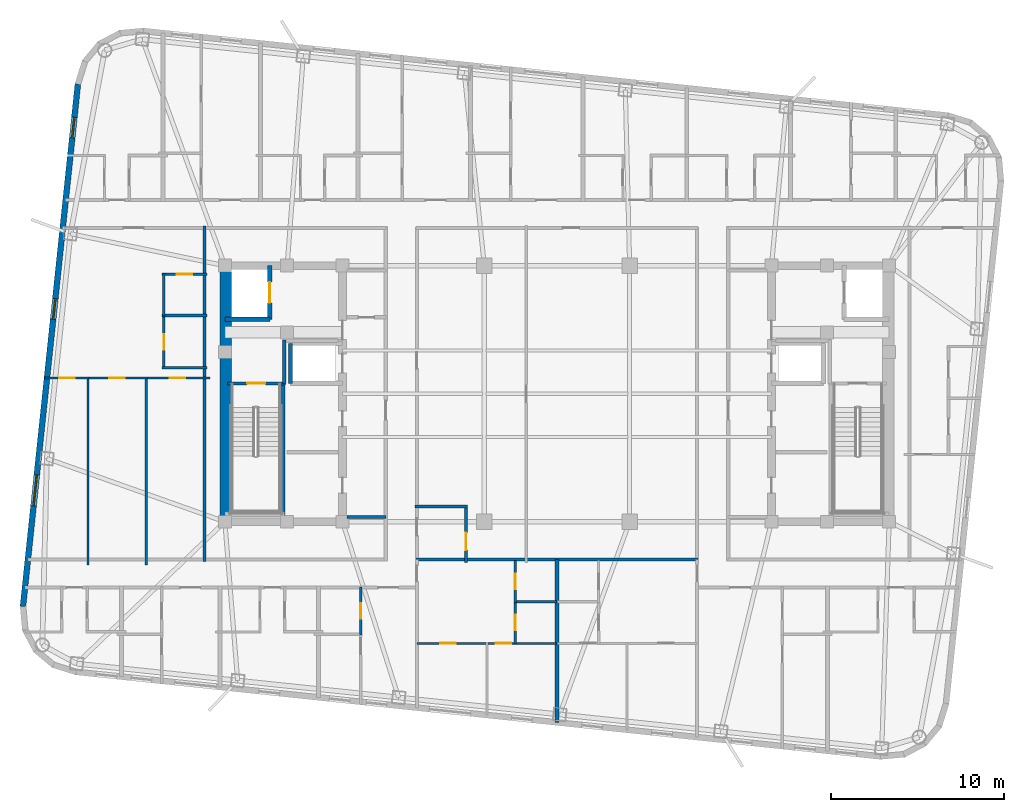
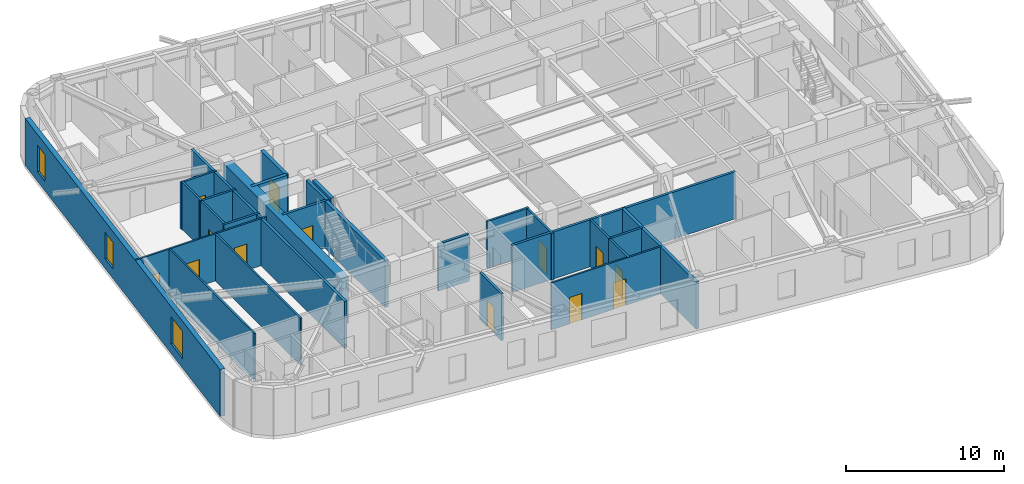
# One storey, part 4 of 11: 29 walls, 13 doors, 3 windows, 16 openings.
"""IFC4 building model written with IfcOpenShell, lengths in metres."""

from ifc_helpers import new_model, si_unit, direction, frame, frame_2d, origin, place, context, subcontext, project, spatial, rectangle, extrude, material, layer, layer_set, type_object, element, fill, save


model = new_model("IFC4")

# Units and contexts
model_context = context("Model", 3, precision=1e-05, world=origin(), true_north=direction((0.0, 1.0)))
body_context = subcontext(model_context, "Body", "Model", "MODEL_VIEW")
ifc_project = project(units=[si_unit("LENGTHUNIT", "METRE"), si_unit("AREAUNIT", "SQUARE_METRE"), si_unit("VOLUMEUNIT", "CUBIC_METRE"), si_unit("PLANEANGLEUNIT", "RADIAN"), si_unit("MASSUNIT", "GRAM", prefix="KILO")], contexts=[model_context])

# Site, building, storey
site_placement = place(None, origin())
site = spatial("IfcSite", under=ifc_project, at=site_placement, CompositionType="ELEMENT")
building_placement = place(site_placement, origin())
building = spatial("IfcBuilding", under=site, at=building_placement, Name="Voryun Gate Residences", CompositionType="ELEMENT")
storey_placement = place(building_placement, frame((0.0, 0.0, 287.300048828125)))
storey = spatial("IfcBuildingStorey", under=building, at=storey_placement, Name="L71", CompositionType="ELEMENT", Elevation=287.300048828125)

# Wall
ifc_material_1 = material(Name="Concrete C60/75", Category="concrete")
ifc_layer_1 = layer(ifc_material_1, 0.64990234375, Name="CW_CORE_650")
ifc_layer_set_1 = layer_set([ifc_layer_1], Name="Concrete C60/75")
wall_type_1 = type_object("IfcWallType", Name="CW_CORE_650", PredefinedType="SHEAR", material=ifc_layer_set_1)
wall_1_placement = place(storey_placement, frame((-19.14501953125, -7.39990234375, 0.0), z_axis=(0.0, 0.0, 1.0), x_axis=(0.0, 1.0, 0.0)))
element("IfcWall", 1, at=wall_1_placement, inside=storey, type_object=wall_type_1, Name="L71 Core shear wall CW-L71-WW", PredefinedType="SHEAR", context=body_context, shape_type="SweptSolid", body=[
    extrude(rectangle(XDim=14.7998046875, YDim=0.64990234375, at=frame_2d((7.39990234375, 0.0))), origin(), (0.0, 0.0, 1.0), 3.635009765625),
])

# Wall, opening, door
ifc_material_2 = material(Name="Gypsum acoustic fireboard")
ifc_layer_2 = layer(ifc_material_2, 0.179931640625, Name="W_CORR_RATED_180")
ifc_layer_set_2 = layer_set([ifc_layer_2], Name="Gypsum acoustic fireboard")
wall_type_2 = type_object("IfcWallType", Name="W_CORR_RATED_180", PredefinedType="PARTITIONING", material=ifc_layer_set_2)
wall_2_placement = place(storey_placement, frame((-19.06005859375, 0.60009765625, 0.0), z_axis=(0.0, 0.0, 1.0), x_axis=(1.0, 0.0, 0.0)))
wall_2 = element("IfcWall", 2, at=wall_2_placement, inside=storey, type_object=wall_type_2, Name="Partition wall WP-L71-STV-W", PredefinedType="PARTITIONING", context=body_context, shape_type="SweptSolid", body=[
    extrude(rectangle(XDim=3.360107421875, YDim=0.179931640625, at=frame_2d((1.68017578125, 0.0))), origin(), (0.0, 0.0, 1.0), 3.635009765625),
])
opening_1_placement = place(wall_2_placement, frame((1.155029296875, 0.0, 0.0)))
opening_1 = element("IfcOpeningElement", 3, at=opening_1_placement, cuts=wall_2, Name="Opening D-FD60-1", PredefinedType="OPENING", context=body_context, shape_type="SweptSolid", body=[
    extrude(rectangle(XDim=1.050048828125, YDim=2.050048828125, at=frame_2d((0.52490234375, 1.02490234375))), frame((0.0, 0.099853515625, 0.0), z_axis=(0.0, -1.0, 0.0), x_axis=(1.0, 0.0, 0.0)), (0.0, 0.0, 1.0), 0.199951171875),
])
ifc_material_3 = material(Name="Painted steel fire door", Category="steel")
door_type_1 = type_object("IfcDoorType", Name="DR_FD60_STAIR_1050", OperationType="NOTDEFINED", PredefinedType="DOOR", material=ifc_material_3)
door_1_placement = place(opening_1_placement, origin())
door_1 = element("IfcDoor", 4, at=door_1_placement, inside=storey, type_object=door_type_1, Name="Door DR-L71-ST-W", OperationType="SINGLE_SWING_LEFT", OverallHeight=2.050048828125, OverallWidth=1.050048828125, PredefinedType="DOOR", context=body_context, shape_type="SweptSolid", body=[
    extrude(rectangle(XDim=1.050048828125, YDim=2.050048828125, at=frame_2d((0.52490234375, 1.02490234375))), frame((0.0, 0.02490234375, 0.0), z_axis=(0.0, -1.0, 0.0), x_axis=(1.0, 0.0, 0.0)), (0.0, 0.0, 1.0), 0.050048828125),
])
fill(opening_1, door_1)

# Walls
wall_3_placement = place(storey_placement, frame((-12.14990234375, -7.1201171875, 0.0), z_axis=(0.0, 0.0, 1.0), x_axis=(1.0, 0.0, 0.0)))
element("IfcWall", 5, at=wall_3_placement, inside=storey, type_object=wall_type_2, Name="Partition wall WP-L71-PLBS-W", PredefinedType="PARTITIONING", context=body_context, shape_type="SweptSolid", body=[
    extrude(rectangle(XDim=2.27001953125, YDim=0.179931640625, at=frame_2d((1.135009765625, 0.0))), origin(), (0.0, 0.0, 1.0), 3.635009765625),
])
wall_4_placement = place(storey_placement, frame((-8.14990234375, -9.590087890625, 0.0), z_axis=(0.0, 0.0, 1.0), x_axis=(1.0, 0.0, 0.0)))
element("IfcWall", 6, at=wall_4_placement, inside=storey, type_object=wall_type_2, Name="Partition wall WP-L71-Z3S", PredefinedType="PARTITIONING", context=body_context, shape_type="SweptSolid", body=[
    extrude(rectangle(XDim=16.2998046875, YDim=0.179931640625, at=frame_2d((8.14990234375, 0.0))), origin(), (0.0, 0.0, 1.0), 3.635009765625),
])
wall_5_placement = place(storey_placement, frame((-20.3701171875, -9.7099609375, 0.0), z_axis=(0.0, 0.0, 1.0), x_axis=(0.0, 1.0, 0.0)))
element("IfcWall", 7, at=wall_5_placement, inside=storey, type_object=wall_type_2, Name="Partition wall WP-L71-WCOR", PredefinedType="PARTITIONING", context=body_context, shape_type="SweptSolid", body=[
    extrude(rectangle(XDim=19.419921875, YDim=0.179931640625, at=frame_2d((9.7099609375, 0.0))), origin(), (0.0, 0.0, 1.0), 3.635009765625),
])

# Wall, openings, windows
ifc_material_4 = material(Name="Charcoal terracotta masonry", Category="masonry")
ifc_layer_3 = layer(ifc_material_4, 0.340087890625, Name="W_EXT_TERRACOTTA_340")
ifc_layer_set_3 = layer_set([ifc_layer_3], Name="Charcoal terracotta masonry")
wall_type_3 = type_object("IfcWallType", Name="W_EXT_TERRACOTTA_340", PredefinedType="ELEMENTEDWALL", material=ifc_layer_set_3)
wall_6_placement = place(storey_placement, frame((-30.8701171875, -12.295654296875, 0.0), z_axis=(0.0, 0.0, 1.0), x_axis=(0.104533282919, 0.994521388791, 0.0)))
wall_6 = element("IfcWall", 8, at=wall_6_placement, inside=storey, type_object=wall_type_3, Name="Exterior wall WEXT-L71-06", PredefinedType="ELEMENTEDWALL", context=body_context, shape_type="SweptSolid", body=[
    extrude(rectangle(XDim=30.366455078125, YDim=0.340087890625, at=frame_2d((15.18310546875, 0.0))), origin(), (0.0, 0.0, 1.0), 3.635009765625),
])
opening_2_placement = place(wall_6_placement, frame((5.841552734375, 0.0, 0.75)))
opening_2 = element("IfcOpeningElement", 9, at=opening_2_placement, cuts=wall_6, Name="Opening WN1", PredefinedType="OPENING", context=body_context, shape_type="SweptSolid", body=[
    extrude(rectangle(XDim=1.800048828125, YDim=2.10009765625, at=frame_2d((0.89990234375, 1.050048828125))), frame((0.0, 0.179931640625, 0.0), z_axis=(0.0, -1.0, 0.0), x_axis=(1.0, 0.0, 0.0)), (0.0, 0.0, 1.0), 0.360107421875),
])
opening_3_placement = place(wall_6_placement, frame((27.23779296875, 0.0, 0.75)))
opening_3 = element("IfcOpeningElement", 10, at=opening_3_placement, cuts=wall_6, Name="Opening WN6", PredefinedType="OPENING", context=body_context, shape_type="SweptSolid", body=[
    extrude(rectangle(XDim=1.199951171875, YDim=2.050048828125, at=frame_2d((0.60009765625, 1.02490234375))), frame((0.0, 0.179931640625, 0.0), z_axis=(0.0, -1.0, 0.0), x_axis=(1.0, 0.0, 0.0)), (0.0, 0.0, 1.0), 0.360107421875),
])
opening_4_placement = place(wall_6_placement, frame((16.6875, 0.0, 0.75)))
opening_4 = element("IfcOpeningElement", 11, at=opening_4_placement, cuts=wall_6, Name="Opening WN6", PredefinedType="OPENING", context=body_context, shape_type="SweptSolid", body=[
    extrude(rectangle(XDim=1.199951171875, YDim=2.050048828125, at=frame_2d((0.60009765625, 1.02490234375))), frame((0.0, 0.179931640625, 0.0), z_axis=(0.0, -1.0, 0.0), x_axis=(1.0, 0.0, 0.0)), (0.0, 0.0, 1.0), 0.360107421875),
])
ifc_material_5 = material(Name="Laminated low-E glass", Category="glass")
window_type_1 = type_object("IfcWindowType", Name="WN_POD_SLOT_1200", PartitioningType="SINGLE_PANEL", PredefinedType="WINDOW", material=ifc_material_5)
window_1_placement = place(opening_3_placement, origin())
window_1 = element("IfcWindow", 12, at=window_1_placement, inside=storey, type_object=window_type_1, Name="Window WN-L71-DWFIX-01", OverallHeight=2.050048828125, OverallWidth=1.199951171875, PartitioningType="SINGLE_PANEL", PredefinedType="WINDOW", context=body_context, shape_type="SweptSolid", body=[
    extrude(rectangle(XDim=1.199951171875, YDim=2.050048828125, at=frame_2d((0.60009765625, 1.02490234375))), frame((0.0, 0.030029296875, 0.0), z_axis=(0.0, -1.0, 0.0), x_axis=(1.0, 0.0, 0.0)), (0.0, 0.0, 1.0), 0.06005859375),
])
fill(opening_3, window_1)
window_2_placement = place(opening_4_placement, origin())
window_2 = element("IfcWindow", 13, at=window_2_placement, inside=storey, type_object=window_type_1, Name="Window WN-L71-DWFIX-24", OverallHeight=2.050048828125, OverallWidth=1.199951171875, PartitioningType="SINGLE_PANEL", PredefinedType="WINDOW", context=body_context, shape_type="SweptSolid", body=[
    extrude(rectangle(XDim=1.199951171875, YDim=2.050048828125, at=frame_2d((0.60009765625, 1.02490234375))), frame((0.0, 0.030029296875, 0.0), z_axis=(0.0, -1.0, 0.0), x_axis=(1.0, 0.0, 0.0)), (0.0, 0.0, 1.0), 0.06005859375),
])
fill(opening_4, window_2)
ifc_material_6 = material(Name="Laminated low-E glass", Category="glass")
window_type_2 = type_object("IfcWindowType", Name="WN_RES_PUNCH_1800", PartitioningType="SINGLE_PANEL", PredefinedType="WINDOW", material=ifc_material_6)
window_3_placement = place(opening_2_placement, origin())
window_3 = element("IfcWindow", 14, at=window_3_placement, inside=storey, type_object=window_type_2, Name="Window WN-WEXT-L71-06-01", OverallHeight=2.10009765625, OverallWidth=1.800048828125, PartitioningType="SINGLE_PANEL", PredefinedType="WINDOW", context=body_context, shape_type="SweptSolid", body=[
    extrude(rectangle(XDim=1.800048828125, YDim=2.10009765625, at=frame_2d((0.89990234375, 1.050048828125))), frame((0.0, 0.030029296875, 0.0), z_axis=(0.0, -1.0, 0.0), x_axis=(1.0, 0.0, 0.0)), (0.0, 0.0, 1.0), 0.06005859375),
])
fill(opening_2, window_3)

# Walls
ifc_material_7 = material(Name="Concrete C40/50", Category="concrete")
ifc_layer_4 = layer(ifc_material_7, 0.199951171875, Name="W_FF_LOBBY_200")
ifc_layer_set_4 = layer_set([ifc_layer_4], Name="Concrete C40/50")
wall_type_4 = type_object("IfcWallType", Name="W_FF_LOBBY_200", PredefinedType="PARTITIONING", material=ifc_layer_set_4)
wall_7_placement = place(storey_placement, frame((-15.760009765625, 0.580078125, 0.0), z_axis=(0.0, 0.0, 1.0), x_axis=(0.0, 1.0, 0.0)))
element("IfcWall", 15, at=wall_7_placement, inside=storey, type_object=wall_type_4, Name="Partition wall WP-L71-FFP0-W", PredefinedType="PARTITIONING", context=body_context, shape_type="SweptSolid", body=[
    extrude(rectangle(XDim=2.52001953125, YDim=0.199951171875, at=frame_2d((1.260009765625, 0.0))), origin(), (0.0, 0.0, 1.0), 3.635009765625),
])
ifc_material_8 = material(Name="Concrete C40/50", Category="concrete")
ifc_layer_5 = layer(ifc_material_8, 0.219970703125, Name="W_PARTY_ACOUSTIC_220")
ifc_layer_set_5 = layer_set([ifc_layer_5], Name="Concrete C40/50")
wall_type_5 = type_object("IfcWallType", Name="W_PARTY_ACOUSTIC_220", PredefinedType="PARTITIONING", material=ifc_layer_set_5)
wall_8_placement = place(storey_placement, frame((0.0, -19.005859375, 0.0), z_axis=(0.0, 0.0, 1.0), x_axis=(0.0, 1.0, 0.0)))
element("IfcWall", 16, at=wall_8_placement, inside=storey, type_object=wall_type_5, Name="Partition wall WP-L71-SZMID", PredefinedType="PARTITIONING", context=body_context, shape_type="SweptSolid", body=[
    extrude(rectangle(XDim=9.415771484375, YDim=0.219970703125, at=frame_2d((4.7080078125, 0.0))), origin(), (0.0, 0.0, 1.0), 3.635009765625),
])
ifc_material_9 = material(Name="Concrete C50/60", Category="concrete")
ifc_layer_6 = layer(ifc_material_9, 0.25, Name="W_SHAFT_RC250")
ifc_layer_set_6 = layer_set([ifc_layer_6], Name="Concrete C50/60")
wall_type_6 = type_object("IfcWallType", Name="W_SHAFT_RC250", PredefinedType="SOLIDWALL", material=ifc_layer_set_6)
wall_9_placement = place(storey_placement, frame((-15.860107421875, -7.0849609375, 0.0), z_axis=(0.0, 0.0, 1.0), x_axis=(0.0, 1.0, 0.0)))
element("IfcWall", 17, at=wall_9_placement, inside=storey, type_object=wall_type_6, Name="L71 Stair shaft structural wall W-STR", PredefinedType="SOLIDWALL", context=body_context, shape_type="SweptSolid", body=[
    extrude(rectangle(XDim=7.68505859375, YDim=0.25, at=frame_2d((3.842529296875, 0.0))), origin(), (0.0, 0.0, 1.0), 3.635009765625),
])
wall_10_placement = place(storey_placement, frame((-19.199951171875, 4.300048828125, 0.0), z_axis=(0.0, 0.0, 1.0), x_axis=(1.0, 0.0, 0.0)))
element("IfcWall", 18, at=wall_10_placement, inside=storey, type_object=wall_type_6, Name="Lift shaft wall WSH-L71-EL-FF-W1-S", PredefinedType="SOLIDWALL", context=body_context, shape_type="SweptSolid", body=[
    extrude(rectangle(XDim=2.599853515625, YDim=0.25, at=frame_2d((1.2998046875, 0.0))), origin(), (0.0, 0.0, 1.0), 3.635009765625),
])

# Wall, opening, door
wall_11_placement = place(storey_placement, frame((-16.60009765625, 4.300048828125, 0.0), z_axis=(0.0, 0.0, 1.0), x_axis=(0.0, 1.0, 0.0)))
wall_11 = element("IfcWall", 19, at=wall_11_placement, inside=storey, type_object=wall_type_6, Name="Lift shaft wall WSH-L71-EL-FF-W1-E", PredefinedType="SOLIDWALL", context=body_context, shape_type="SweptSolid", body=[
    extrude(rectangle(XDim=3.099853515625, YDim=0.25, at=frame_2d((1.5498046875, 0.0))), origin(), (0.0, 0.0, 1.0), 3.635009765625),
])
opening_5_placement = place(wall_11_placement, frame((0.949951171875, 0.0, 0.0)))
opening_5 = element("IfcOpeningElement", 20, at=opening_5_placement, cuts=wall_11, Name="Opening LD1", PredefinedType="OPENING", context=body_context, shape_type="SweptSolid", body=[
    extrude(rectangle(XDim=1.199951171875, YDim=2.050048828125, at=frame_2d((0.60009765625, 1.02490234375))), frame((0.0, 0.135009765625, 0.0), z_axis=(0.0, -1.0, 0.0), x_axis=(1.0, 0.0, 0.0)), (0.0, 0.0, 1.0), 0.27001953125),
])
ifc_material_10 = material(Name="Anodised aluminium", Category="aluminium")
door_type_2 = type_object("IfcDoorType", Name="DR_LD_FF_1200", OperationType="NOTDEFINED", PredefinedType="DOOR", material=ifc_material_10)
door_2_placement = place(opening_5_placement, origin())
door_2 = element("IfcDoor", 21, at=door_2_placement, inside=storey, type_object=door_type_2, Name="Lift EL-FF-W1 sliding landing door L71", OperationType="SLIDING_TO_LEFT", OverallHeight=2.050048828125, OverallWidth=1.199951171875, PredefinedType="DOOR", context=body_context, shape_type="SweptSolid", body=[
    extrude(rectangle(XDim=1.199951171875, YDim=2.050048828125, at=frame_2d((0.60009765625, 1.02490234375))), frame((0.0, 0.02490234375, 0.0), z_axis=(0.0, -1.0, 0.0), x_axis=(1.0, 0.0, 0.0)), (0.0, 0.0, 1.0), 0.050048828125),
])
fill(opening_5, door_2)

# Wall
wall_12_placement = place(storey_placement, frame((-15.39990234375, 2.89990234375, 0.0), z_axis=(0.0, 0.0, 1.0), x_axis=(0.0, -1.0, 0.0)))
element("IfcWall", 22, at=wall_12_placement, inside=storey, type_object=wall_type_6, Name="Lift shaft wall WSH-L71-EL-P7-W", PredefinedType="SOLIDWALL", context=body_context, shape_type="SweptSolid", body=[
    extrude(rectangle(XDim=2.2998046875, YDim=0.25, at=frame_2d((1.14990234375, 0.0))), origin(), (0.0, 0.0, 1.0), 3.635009765625),
])

# Wall, openings, doors
ifc_material_11 = material(Name="Gypsum acoustic partition")
ifc_layer_7 = layer(ifc_material_11, 0.125, Name="W_UNIT_PART_125")
ifc_layer_set_7 = layer_set([ifc_layer_7], Name="Gypsum acoustic partition")
wall_type_7 = type_object("IfcWallType", Name="W_UNIT_PART_125", PredefinedType="PARTITIONING", material=ifc_layer_set_7)
wall_13_placement = place(storey_placement, frame((-8.080078125, -14.429931640625, 0.0), z_axis=(0.0, 0.0, 1.0), x_axis=(1.0, 0.0, 0.0)))
wall_13 = element("IfcWall", 23, at=wall_13_placement, inside=storey, type_object=wall_type_7, Name="Partition wall WP-L71-SC1-HZ", PredefinedType="PARTITIONING", context=body_context, shape_type="SweptSolid", body=[
    extrude(rectangle(XDim=8.06005859375, YDim=0.125, at=frame_2d((4.030029296875, 0.0))), origin(), (0.0, 0.0, 1.0), 3.635009765625),
])
opening_6_placement = place(wall_13_placement, frame((1.3232421875, 0.0, 0.0)))
opening_6 = element("IfcOpeningElement", 24, at=opening_6_placement, cuts=wall_13, Name="Opening D-INT-2", PredefinedType="OPENING", context=body_context, shape_type="SweptSolid", body=[
    extrude(rectangle(XDim=0.89990234375, YDim=2.050048828125, at=frame_2d((0.449951171875, 1.02490234375))), frame((0.0, 0.072509765625, 0.0), z_axis=(0.0, -1.0, 0.0), x_axis=(1.0, 0.0, 0.0)), (0.0, 0.0, 1.0), 0.14501953125),
])
opening_7_placement = place(wall_13_placement, frame((4.547119140625, 0.0, 0.0)))
opening_7 = element("IfcOpeningElement", 25, at=opening_7_placement, cuts=wall_13, Name="Opening D-INT-2", PredefinedType="OPENING", context=body_context, shape_type="SweptSolid", body=[
    extrude(rectangle(XDim=0.89990234375, YDim=2.050048828125, at=frame_2d((0.449951171875, 1.02490234375))), frame((0.0, 0.072509765625, 0.0), z_axis=(0.0, -1.0, 0.0), x_axis=(1.0, 0.0, 0.0)), (0.0, 0.0, 1.0), 0.14501953125),
])
ifc_material_12 = material(Name="Architectural oak veneer")
door_type_3 = type_object("IfcDoorType", Name="DR_INT_BATH_900", OperationType="NOTDEFINED", PredefinedType="DOOR", material=ifc_material_12)
door_3_placement = place(opening_6_placement, origin())
door_3 = element("IfcDoor", 26, at=door_3_placement, inside=storey, type_object=door_type_3, Name="Door DR-L71-SC1-DMB", OperationType="SINGLE_SWING_LEFT", OverallHeight=2.050048828125, OverallWidth=0.89990234375, PredefinedType="DOOR", context=body_context, shape_type="SweptSolid", body=[
    extrude(rectangle(XDim=0.89990234375, YDim=2.050048828125, at=frame_2d((0.449951171875, 1.02490234375))), frame((0.0, 0.02490234375, 0.0), z_axis=(0.0, -1.0, 0.0), x_axis=(1.0, 0.0, 0.0)), (0.0, 0.0, 1.0), 0.050048828125),
])
fill(opening_6, door_3)
door_4_placement = place(opening_7_placement, origin())
door_4 = element("IfcDoor", 27, at=door_4_placement, inside=storey, type_object=door_type_3, Name="Door DR-L71-SC1-DBD2", OperationType="SINGLE_SWING_RIGHT", OverallHeight=2.050048828125, OverallWidth=0.89990234375, PredefinedType="DOOR", context=body_context, shape_type="SweptSolid", body=[
    extrude(rectangle(XDim=0.89990234375, YDim=2.050048828125, at=frame_2d((0.449951171875, 1.02490234375))), frame((0.0, 0.02490234375, 0.0), z_axis=(0.0, -1.0, 0.0), x_axis=(1.0, 0.0, 0.0)), (0.0, 0.0, 1.0), 0.050048828125),
])
fill(opening_7, door_4)

# Wall, opening, door
wall_14_placement = place(storey_placement, frame((-2.409912109375, -12.06005859375, 0.0), z_axis=(0.0, 0.0, 1.0), x_axis=(0.0, 1.0, 0.0)))
wall_14 = element("IfcWall", 28, at=wall_14_placement, inside=storey, type_object=wall_type_7, Name="Partition wall WP-L71-SC1-VK1", PredefinedType="PARTITIONING", context=body_context, shape_type="SweptSolid", body=[
    extrude(rectangle(XDim=2.41015625, YDim=0.125, at=frame_2d((1.205078125, 0.0))), origin(), (0.0, 0.0, 1.0), 3.635009765625),
])
opening_8_placement = place(wall_14_placement, frame((0.7548828125, 0.0, 0.0)))
opening_8 = element("IfcOpeningElement", 29, at=opening_8_placement, cuts=wall_14, Name="Opening D-INT-2", PredefinedType="OPENING", context=body_context, shape_type="SweptSolid", body=[
    extrude(rectangle(XDim=0.89990234375, YDim=2.050048828125, at=frame_2d((0.449951171875, 1.02490234375))), frame((0.0, 0.072509765625, 0.0), z_axis=(0.0, -1.0, 0.0), x_axis=(1.0, 0.0, 0.0)), (0.0, 0.0, 1.0), 0.14501953125),
])
door_5_placement = place(opening_8_placement, origin())
door_5 = element("IfcDoor", 30, at=door_5_placement, inside=storey, type_object=door_type_3, Name="Door DR-L71-SC1-DK", OperationType="SINGLE_SWING_LEFT", OverallHeight=2.050048828125, OverallWidth=0.89990234375, PredefinedType="DOOR", context=body_context, shape_type="SweptSolid", body=[
    extrude(rectangle(XDim=0.89990234375, YDim=2.050048828125, at=frame_2d((0.449951171875, 1.02490234375))), frame((0.0, 0.02490234375, 0.0), z_axis=(0.0, -1.0, 0.0), x_axis=(1.0, 0.0, 0.0)), (0.0, 0.0, 1.0), 0.050048828125),
])
fill(opening_8, door_5)

wall_15_placement = place(storey_placement, frame((-29.633056640625, 0.909912109375, 0.0), z_axis=(0.0, 0.0, 1.0), x_axis=(1.0, 0.0, 0.0)))
wall_15 = element("IfcWall", 31, at=wall_15_placement, inside=storey, type_object=wall_type_7, Name="Partition wall WP-L71-W1-HZMB1", PredefinedType="PARTITIONING", context=body_context, shape_type="SweptSolid", body=[
    extrude(rectangle(XDim=2.57861328125, YDim=0.125, at=frame_2d((1.289306640625, 0.0))), origin(), (0.0, 0.0, 1.0), 3.635009765625),
])
opening_9_placement = place(wall_15_placement, frame((0.847900390625, 0.0, 0.0)))
opening_9 = element("IfcOpeningElement", 32, at=opening_9_placement, cuts=wall_15, Name="Opening D-INT-2", PredefinedType="OPENING", context=body_context, shape_type="SweptSolid", body=[
    extrude(rectangle(XDim=0.89990234375, YDim=2.050048828125, at=frame_2d((0.449951171875, 1.02490234375))), frame((0.0, 0.072509765625, 0.0), z_axis=(0.0, -1.0, 0.0), x_axis=(1.0, 0.0, 0.0)), (0.0, 0.0, 1.0), 0.14501953125),
])
door_6_placement = place(opening_9_placement, origin())
door_6 = element("IfcDoor", 33, at=door_6_placement, inside=storey, type_object=door_type_3, Name="Door DR-L71-W1-DMB", OperationType="SINGLE_SWING_LEFT", OverallHeight=2.050048828125, OverallWidth=0.89990234375, PredefinedType="DOOR", context=body_context, shape_type="SweptSolid", body=[
    extrude(rectangle(XDim=0.89990234375, YDim=2.050048828125, at=frame_2d((0.449951171875, 1.02490234375))), frame((0.0, 0.02490234375, 0.0), z_axis=(0.0, -1.0, 0.0), x_axis=(1.0, 0.0, 0.0)), (0.0, 0.0, 1.0), 0.050048828125),
])
fill(opening_9, door_6)

wall_16_placement = place(storey_placement, frame((-27.179443359375, 0.909912109375, 0.0), z_axis=(0.0, 0.0, 1.0), x_axis=(1.0, 0.0, 0.0)))
wall_16 = element("IfcWall", 34, at=wall_16_placement, inside=storey, type_object=wall_type_7, Name="Partition wall WP-L71-W1-HZMB2", PredefinedType="PARTITIONING", context=body_context, shape_type="SweptSolid", body=[
    extrude(rectangle(XDim=3.4990234375, YDim=0.125, at=frame_2d((1.74951171875, 0.0))), origin(), (0.0, 0.0, 1.0), 3.635009765625),
])
opening_10_placement = place(wall_16_placement, frame((1.299560546875, 0.0, 0.0)))
opening_10 = element("IfcOpeningElement", 35, at=opening_10_placement, cuts=wall_16, Name="Opening D-INT-2", PredefinedType="OPENING", context=body_context, shape_type="SweptSolid", body=[
    extrude(rectangle(XDim=0.89990234375, YDim=2.050048828125, at=frame_2d((0.449951171875, 1.02490234375))), frame((0.0, 0.072509765625, 0.0), z_axis=(0.0, -1.0, 0.0), x_axis=(1.0, 0.0, 0.0)), (0.0, 0.0, 1.0), 0.14501953125),
])
door_7_placement = place(opening_10_placement, origin())
door_7 = element("IfcDoor", 36, at=door_7_placement, inside=storey, type_object=door_type_3, Name="Door DR-L71-W1-DBD2", OperationType="SINGLE_SWING_RIGHT", OverallHeight=2.050048828125, OverallWidth=0.89990234375, PredefinedType="DOOR", context=body_context, shape_type="SweptSolid", body=[
    extrude(rectangle(XDim=0.89990234375, YDim=2.050048828125, at=frame_2d((0.449951171875, 1.02490234375))), frame((0.0, 0.02490234375, 0.0), z_axis=(0.0, -1.0, 0.0), x_axis=(1.0, 0.0, 0.0)), (0.0, 0.0, 1.0), 0.050048828125),
])
fill(opening_10, door_7)

wall_17_placement = place(storey_placement, frame((-23.805419921875, 0.909912109375, 0.0), z_axis=(0.0, 0.0, 1.0), x_axis=(1.0, 0.0, 0.0)))
wall_17 = element("IfcWall", 37, at=wall_17_placement, inside=storey, type_object=wall_type_7, Name="Partition wall WP-L71-W1-HZMB3", PredefinedType="PARTITIONING", context=body_context, shape_type="SweptSolid", body=[
    extrude(rectangle(XDim=3.75537109375, YDim=0.125, at=frame_2d((1.877685546875, 0.0))), origin(), (0.0, 0.0, 1.0), 3.635009765625),
])
opening_11_placement = place(wall_17_placement, frame((1.4189453125, 0.0, 0.0)))
opening_11 = element("IfcOpeningElement", 38, at=opening_11_placement, cuts=wall_17, Name="Opening D-INT-2", PredefinedType="OPENING", context=body_context, shape_type="SweptSolid", body=[
    extrude(rectangle(XDim=0.89990234375, YDim=2.050048828125, at=frame_2d((0.449951171875, 1.02490234375))), frame((0.0, 0.072509765625, 0.0), z_axis=(0.0, -1.0, 0.0), x_axis=(1.0, 0.0, 0.0)), (0.0, 0.0, 1.0), 0.14501953125),
])
door_8_placement = place(opening_11_placement, origin())
door_8 = element("IfcDoor", 39, at=door_8_placement, inside=storey, type_object=door_type_3, Name="Door DR-L71-W1-DBD3", OperationType="SINGLE_SWING_LEFT", OverallHeight=2.050048828125, OverallWidth=0.89990234375, PredefinedType="DOOR", context=body_context, shape_type="SweptSolid", body=[
    extrude(rectangle(XDim=0.89990234375, YDim=2.050048828125, at=frame_2d((0.449951171875, 1.02490234375))), frame((0.0, 0.02490234375, 0.0), z_axis=(0.0, -1.0, 0.0), x_axis=(1.0, 0.0, 0.0)), (0.0, 0.0, 1.0), 0.050048828125),
])
fill(opening_11, door_8)

# Walls
for number, where, z_axis, x_axis, name in (
    (40, (-23.742919921875, -9.909912109375, 0.0), (0.0, 0.0, 1.0), (0.0, 1.0, 0.0), "Partition wall WP-L71-W1-VMB2"),
    (41, (-27.116943359375, -9.909912109375, 0.0), (0.0, 0.0, 1.0), (0.0, 1.0, 0.0), "Partition wall WP-L71-W1-VMB"),
):
    element("IfcWall", number, at=place(storey_placement, frame(where, z_axis=z_axis, x_axis=x_axis)), inside=storey, type_object=wall_type_7, Name=name, PredefinedType="PARTITIONING", context=body_context, shape_type="SweptSolid", body=[
        extrude(rectangle(XDim=10.8798828125, YDim=0.125, at=frame_2d((5.43994140625, 0.0))), origin(), (0.0, 0.0, 1.0), 3.635009765625),
    ])

# Wall, opening, door
ifc_material_13 = material(Name="Gypsum moisture-resistant partition")
ifc_layer_8 = layer(ifc_material_13, 0.14990234375, Name="W_WET_PLUMB_150")
ifc_layer_set_8 = layer_set([ifc_layer_8], Name="Gypsum moisture-resistant partition")
wall_type_8 = type_object("IfcWallType", Name="W_WET_PLUMB_150", PredefinedType="PLUMBINGWALL", material=ifc_layer_set_8)
wall_18_placement = place(storey_placement, frame((-5.260009765625, -9.77001953125, 0.0), z_axis=(0.0, 0.0, 1.0), x_axis=(0.0, 1.0, 0.0)))
wall_18 = element("IfcWall", 42, at=wall_18_placement, inside=storey, type_object=wall_type_8, Name="Partition wall WP-L71-CMWCX", PredefinedType="PLUMBINGWALL", context=body_context, shape_type="SweptSolid", body=[
    extrude(rectangle(XDim=3.35009765625, YDim=0.14990234375, at=frame_2d((1.675048828125, 0.0))), origin(), (0.0, 0.0, 1.0), 3.635009765625),
])
opening_12_placement = place(wall_18_placement, frame((0.735107421875, 0.0, 0.0)))
opening_12 = element("IfcOpeningElement", 43, at=opening_12_placement, cuts=wall_18, Name="Opening D-AWC-1", PredefinedType="OPENING", context=body_context, shape_type="SweptSolid", body=[
    extrude(rectangle(XDim=1.0, YDim=2.050048828125, at=frame_2d((0.5, 1.02490234375))), frame((0.0, 0.0849609375, 0.0), z_axis=(0.0, -1.0, 0.0), x_axis=(1.0, 0.0, 0.0)), (0.0, 0.0, 1.0), 0.169921875),
])
ifc_material_14 = material(Name="Architectural oak veneer")
door_type_4 = type_object("IfcDoorType", Name="DR_ACC_WC_1000", OperationType="NOTDEFINED", PredefinedType="DOOR", material=ifc_material_14)
door_9_placement = place(opening_12_placement, origin())
door_9 = element("IfcDoor", 44, at=door_9_placement, inside=storey, type_object=door_type_4, Name="Door DR-L71-CMWC", OperationType="SINGLE_SWING_LEFT", OverallHeight=2.050048828125, OverallWidth=1.0, PredefinedType="DOOR", context=body_context, shape_type="SweptSolid", body=[
    extrude(rectangle(XDim=1.0, YDim=2.050048828125, at=frame_2d((0.5, 1.02490234375))), frame((0.0, 0.02490234375, 0.0), z_axis=(0.0, -1.0, 0.0), x_axis=(1.0, 0.0, 0.0)), (0.0, 0.0, 1.0), 0.050048828125),
])
fill(opening_12, door_9)

# Wall
wall_19_placement = place(storey_placement, frame((-8.2099609375, -6.52001953125, 0.0), z_axis=(0.0, 0.0, 1.0), x_axis=(1.0, 0.0, 0.0)))
element("IfcWall", 45, at=wall_19_placement, inside=storey, type_object=wall_type_8, Name="Partition wall WP-L71-CMWCY", PredefinedType="PLUMBINGWALL", context=body_context, shape_type="SweptSolid", body=[
    extrude(rectangle(XDim=3.050048828125, YDim=0.14990234375, at=frame_2d((1.52490234375, 0.0))), origin(), (0.0, 0.0, 1.0), 3.635009765625),
])

# Wall, opening, door
wall_20_placement = place(storey_placement, frame((-11.35400390625, -13.93994140625, 0.0), z_axis=(0.0, 0.0, 1.0), x_axis=(0.0, 1.0, 0.0)))
wall_20 = element("IfcWall", 46, at=wall_20_placement, inside=storey, type_object=wall_type_8, Name="Partition wall WP-L71-S4-SVT2", PredefinedType="PLUMBINGWALL", context=body_context, shape_type="SweptSolid", body=[
    extrude(rectangle(XDim=2.760009765625, YDim=0.14990234375, at=frame_2d((1.3798828125, 0.0))), origin(), (0.0, 0.0, 1.0), 3.635009765625),
])
opening_13_placement = place(wall_20_placement, frame((0.929931640625, 0.0, 0.0)))
opening_13 = element("IfcOpeningElement", 47, at=opening_13_placement, cuts=wall_20, Name="Opening D-INT-2", PredefinedType="OPENING", context=body_context, shape_type="SweptSolid", body=[
    extrude(rectangle(XDim=0.89990234375, YDim=2.050048828125, at=frame_2d((0.449951171875, 1.02490234375))), frame((0.0, 0.0849609375, 0.0), z_axis=(0.0, -1.0, 0.0), x_axis=(1.0, 0.0, 0.0)), (0.0, 0.0, 1.0), 0.169921875),
])
door_10_placement = place(opening_13_placement, origin())
door_10 = element("IfcDoor", 48, at=door_10_placement, inside=storey, type_object=door_type_3, Name="Door DR-L71-S4-DB", OperationType="SINGLE_SWING_RIGHT", OverallHeight=2.050048828125, OverallWidth=0.89990234375, PredefinedType="DOOR", context=body_context, shape_type="SweptSolid", body=[
    extrude(rectangle(XDim=0.89990234375, YDim=2.050048828125, at=frame_2d((0.449951171875, 1.02490234375))), frame((0.0, 0.02490234375, 0.0), z_axis=(0.0, -1.0, 0.0), x_axis=(1.0, 0.0, 0.0)), (0.0, 0.0, 1.0), 0.050048828125),
])
fill(opening_13, door_10)

wall_21_placement = place(storey_placement, frame((-2.409912109375, -14.469970703125, 0.0), z_axis=(0.0, 0.0, 1.0), x_axis=(0.0, 1.0, 0.0)))
wall_21 = element("IfcWall", 49, at=wall_21_placement, inside=storey, type_object=wall_type_8, Name="Partition wall WP-L71-SC1-VK2", PredefinedType="PLUMBINGWALL", context=body_context, shape_type="SweptSolid", body=[
    extrude(rectangle(XDim=2.469970703125, YDim=0.14990234375, at=frame_2d((1.23486328125, 0.0))), origin(), (0.0, 0.0, 1.0), 3.635009765625),
])
opening_14_placement = place(wall_21_placement, frame((0.784912109375, 0.0, 0.0)))
opening_14 = element("IfcOpeningElement", 50, at=opening_14_placement, cuts=wall_21, Name="Opening D-INT-2", PredefinedType="OPENING", context=body_context, shape_type="SweptSolid", body=[
    extrude(rectangle(XDim=0.89990234375, YDim=2.050048828125, at=frame_2d((0.449951171875, 1.02490234375))), frame((0.0, 0.0849609375, 0.0), z_axis=(0.0, -1.0, 0.0), x_axis=(1.0, 0.0, 0.0)), (0.0, 0.0, 1.0), 0.169921875),
])
door_11_placement = place(opening_14_placement, origin())
door_11 = element("IfcDoor", 51, at=door_11_placement, inside=storey, type_object=door_type_3, Name="Door DR-L71-SC1-DB", OperationType="SINGLE_SWING_RIGHT", OverallHeight=2.050048828125, OverallWidth=0.89990234375, PredefinedType="DOOR", context=body_context, shape_type="SweptSolid", body=[
    extrude(rectangle(XDim=0.89990234375, YDim=2.050048828125, at=frame_2d((0.449951171875, 1.02490234375))), frame((0.0, 0.02490234375, 0.0), z_axis=(0.0, -1.0, 0.0), x_axis=(1.0, 0.0, 0.0)), (0.0, 0.0, 1.0), 0.050048828125),
])
fill(opening_14, door_11)

# Wall
wall_22_placement = place(storey_placement, frame((-2.449951171875, -12.030029296875, 0.0), z_axis=(0.0, 0.0, 1.0), x_axis=(1.0, 0.0, 0.0)))
element("IfcWall", 52, at=wall_22_placement, inside=storey, type_object=wall_type_8, Name="Partition wall WP-L71-SC1-HKB", PredefinedType="PLUMBINGWALL", context=body_context, shape_type="SweptSolid", body=[
    extrude(rectangle(XDim=2.429931640625, YDim=0.14990234375, at=frame_2d((1.21484375, 0.0))), origin(), (0.0, 0.0, 1.0), 3.635009765625),
])

# Wall, opening, door
wall_23_placement = place(storey_placement, frame((-22.840087890625, 6.89990234375, 0.0), z_axis=(0.0, 0.0, 1.0), x_axis=(1.0, 0.0, 0.0)))
wall_23 = element("IfcWall", 53, at=wall_23_placement, inside=storey, type_object=wall_type_8, Name="Partition wall WP-L71-W1-IBT", PredefinedType="PLUMBINGWALL", context=body_context, shape_type="SweptSolid", body=[
    extrude(rectangle(XDim=2.6201171875, YDim=0.14990234375, at=frame_2d((1.31005859375, 0.0))), origin(), (0.0, 0.0, 1.0), 3.635009765625),
])
opening_15_placement = place(wall_23_placement, frame((0.860107421875, 0.0, 0.0)))
opening_15 = element("IfcOpeningElement", 54, at=opening_15_placement, cuts=wall_23, Name="Opening D-INT-2", PredefinedType="OPENING", context=body_context, shape_type="SweptSolid", body=[
    extrude(rectangle(XDim=0.89990234375, YDim=2.050048828125, at=frame_2d((0.449951171875, 1.02490234375))), frame((0.0, 0.0849609375, 0.0), z_axis=(0.0, -1.0, 0.0), x_axis=(1.0, 0.0, 0.0)), (0.0, 0.0, 1.0), 0.169921875),
])
door_12_placement = place(opening_15_placement, origin())
door_12 = element("IfcDoor", 55, at=door_12_placement, inside=storey, type_object=door_type_3, Name="Door DR-L71-W1-DK", OperationType="SINGLE_SWING_LEFT", OverallHeight=2.050048828125, OverallWidth=0.89990234375, PredefinedType="DOOR", context=body_context, shape_type="SweptSolid", body=[
    extrude(rectangle(XDim=0.89990234375, YDim=2.050048828125, at=frame_2d((0.449951171875, 1.02490234375))), frame((0.0, 0.02490234375, 0.0), z_axis=(0.0, -1.0, 0.0), x_axis=(1.0, 0.0, 0.0)), (0.0, 0.0, 1.0), 0.050048828125),
])
fill(opening_15, door_12)

# Walls
for number, where, z_axis, x_axis, name in (
    (56, (-22.840087890625, 4.52001953125, 0.0), (0.0, 0.0, 1.0), (1.0, 0.0, 0.0), "Partition wall WP-L71-W1-IKB"),
    (57, (-22.840087890625, 1.5, 0.0), (0.0, 0.0, 1.0), (1.0, 0.0, 0.0), "Partition wall WP-L71-W1-IBB"),
):
    element("IfcWall", number, at=place(storey_placement, frame(where, z_axis=z_axis, x_axis=x_axis)), inside=storey, type_object=wall_type_8, Name=name, PredefinedType="PLUMBINGWALL", context=body_context, shape_type="SweptSolid", body=[
        extrude(rectangle(XDim=2.6201171875, YDim=0.14990234375, at=frame_2d((1.31005859375, 0.0))), origin(), (0.0, 0.0, 1.0), 3.635009765625),
    ])

# Wall, opening, door
wall_24_placement = place(storey_placement, frame((-22.719970703125, 1.43994140625, 0.0), z_axis=(0.0, 0.0, 1.0), x_axis=(0.0, 1.0, 0.0)))
wall_24 = element("IfcWall", 58, at=wall_24_placement, inside=storey, type_object=wall_type_8, Name="Partition wall WP-L71-W1-VTSK1", PredefinedType="PLUMBINGWALL", context=body_context, shape_type="SweptSolid", body=[
    extrude(rectangle(XDim=3.1201171875, YDim=0.14990234375, at=frame_2d((1.56005859375, 0.0))), origin(), (0.0, 0.0, 1.0), 3.635009765625),
])
opening_16_placement = place(wall_24_placement, frame((1.110107421875, 0.0, 0.0)))
opening_16 = element("IfcOpeningElement", 59, at=opening_16_placement, cuts=wall_24, Name="Opening D-INT-2", PredefinedType="OPENING", context=body_context, shape_type="SweptSolid", body=[
    extrude(rectangle(XDim=0.89990234375, YDim=2.050048828125, at=frame_2d((0.449951171875, 1.02490234375))), frame((0.0, 0.0849609375, 0.0), z_axis=(0.0, -1.0, 0.0), x_axis=(1.0, 0.0, 0.0)), (0.0, 0.0, 1.0), 0.169921875),
])
door_13_placement = place(opening_16_placement, origin())
door_13 = element("IfcDoor", 60, at=door_13_placement, inside=storey, type_object=door_type_3, Name="Door DR-L71-W1-DB", OperationType="SINGLE_SWING_RIGHT", OverallHeight=2.050048828125, OverallWidth=0.89990234375, PredefinedType="DOOR", context=body_context, shape_type="SweptSolid", body=[
    extrude(rectangle(XDim=0.89990234375, YDim=2.050048828125, at=frame_2d((0.449951171875, 1.02490234375))), frame((0.0, 0.02490234375, 0.0), z_axis=(0.0, -1.0, 0.0), x_axis=(1.0, 0.0, 0.0)), (0.0, 0.0, 1.0), 0.050048828125),
])
fill(opening_16, door_13)

# Wall
wall_25_placement = place(storey_placement, frame((-22.719970703125, 4.47998046875, 0.0), z_axis=(0.0, 0.0, 1.0), x_axis=(0.0, 1.0, 0.0)))
element("IfcWall", 61, at=wall_25_placement, inside=storey, type_object=wall_type_8, Name="Partition wall WP-L71-W1-VTSK2", PredefinedType="PLUMBINGWALL", context=body_context, shape_type="SweptSolid", body=[
    extrude(rectangle(XDim=2.47998046875, YDim=0.14990234375, at=frame_2d((1.239990234375, 0.0))), origin(), (0.0, 0.0, 1.0), 3.635009765625),
])

save(model, "model.ifc")
